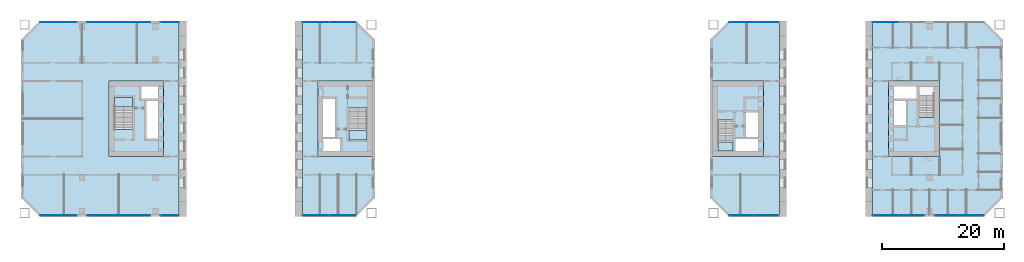
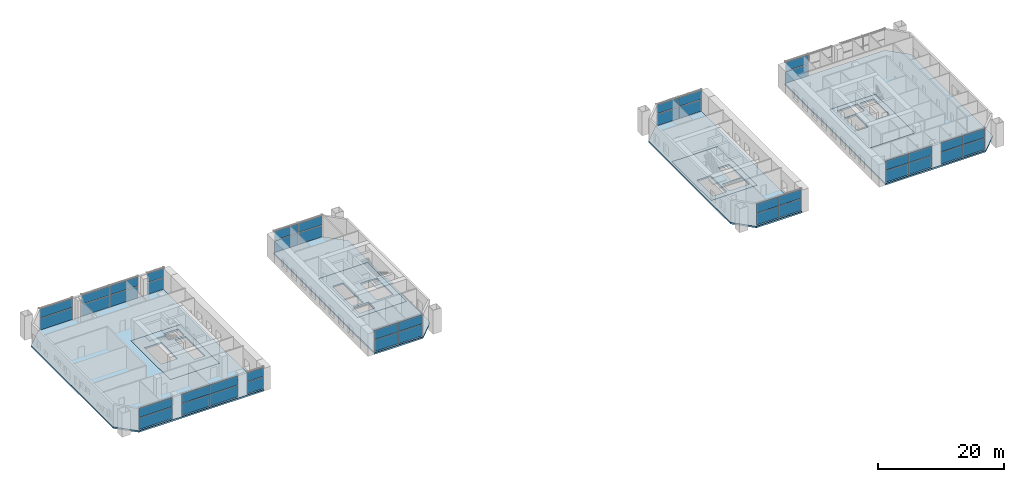
# One storey, part 7 of 19: 42 plates, 11 slabs, 16 elements without a shape of their own.
"""IFC4 building model written with IfcOpenShell, lengths in metres."""

from ifc_helpers import new_model, si_unit, direction, frame, origin, origin_2d, place, context, subcontext, project, spatial, polyline, rectangle, outline, extrude, material, layer, layer_set, type_object, element, aggregate, save


model = new_model("IFC4")

# Units and contexts
model_context = context("Model", 3, precision=1e-05, world=origin(), true_north=direction((0.0, 1.0)))
body_context = subcontext(model_context, "Body", "Model", "MODEL_VIEW")
ifc_project = project(units=[si_unit("LENGTHUNIT", "METRE"), si_unit("AREAUNIT", "SQUARE_METRE"), si_unit("VOLUMEUNIT", "CUBIC_METRE"), si_unit("PLANEANGLEUNIT", "RADIAN"), si_unit("MASSUNIT", "GRAM", prefix="KILO")], contexts=[model_context])

# Site, building, storey
site_placement = place(None, origin())
site = spatial("IfcSite", under=ifc_project, at=site_placement, CompositionType="ELEMENT")
building_placement = place(site_placement, origin())
building = spatial("IfcBuilding", under=site, at=building_placement, Name="Tuart Gate Housing", CompositionType="ELEMENT")
storey_placement = place(building_placement, frame((0.0, 0.0, 10.10009765625)))
storey = spatial("IfcBuildingStorey", under=building, at=storey_placement, Name="L02", CompositionType="ELEMENT", Elevation=10.10009765625)

# Slabs
ifc_material_1 = material(Name="Concrete C40", Category="concrete")
ifc_layer_1 = layer(ifc_material_1, 0.300048828125)
ifc_layer_set_1 = layer_set([ifc_layer_1], Name="Core floor slab 300")
slab_type_1 = type_object("IfcSlabType", Name="Core floor slab 300", PredefinedType="FLOOR", material=ifc_layer_set_1)
slab_1_placement = place(storey_placement, frame((0.0, 0.0, -0.300048828125)))
element("IfcSlab", 1, at=slab_1_placement, inside=storey, type_object=slab_type_1, Name="Core floor AG", PredefinedType="FLOOR", context=body_context, shape_type="SweptSolid", body=[
    extrude(outline(polyline([(66.639892578125, 63.800048828125), (75.639892578125, 63.800048828125), (75.639892578125, 76.199951171875), (66.639892578125, 76.199951171875), (66.639892578125, 63.800048828125)]), holes=[polyline([(67.5400390625, 64.699951171875), (70.31005859375, 64.699951171875), (70.31005859375, 66.64990234375), (67.5400390625, 66.64990234375), (67.5400390625, 64.699951171875)]), polyline([(67.5400390625, 67.050048828125), (69.489990234375, 67.050048828125), (69.489990234375, 73.25), (67.5400390625, 73.25), (67.5400390625, 67.050048828125)]), polyline([(71.739990234375, 66.550048828125), (74.739990234375, 66.550048828125), (74.739990234375, 71.72998046875), (71.739990234375, 71.72998046875), (71.739990234375, 66.550048828125)])]), origin(), (0.0, 0.0, 1.0), 0.300048828125),
])
slab_2_placement = place(storey_placement, frame((0.0, 0.0, -0.300048828125)))
element("IfcSlab", 2, at=slab_2_placement, inside=storey, type_object=slab_type_1, Name="Core floor AK", PredefinedType="FLOOR", context=body_context, shape_type="SweptSolid", body=[
    extrude(outline(polyline([(32.360107421875, 63.800048828125), (41.360107421875, 63.800048828125), (41.360107421875, 76.199951171875), (32.360107421875, 76.199951171875), (32.360107421875, 63.800048828125)]), holes=[polyline([(40.4599609375, 75.300048828125), (37.68994140625, 75.300048828125), (37.68994140625, 73.35009765625), (40.4599609375, 73.35009765625), (40.4599609375, 75.300048828125)]), polyline([(40.4599609375, 72.949951171875), (38.510009765625, 72.949951171875), (38.510009765625, 66.75), (40.4599609375, 66.75), (40.4599609375, 72.949951171875)]), polyline([(36.260009765625, 73.449951171875), (33.260009765625, 73.449951171875), (33.260009765625, 68.27001953125), (36.260009765625, 68.27001953125), (36.260009765625, 73.449951171875)])]), origin(), (0.0, 0.0, 1.0), 0.300048828125),
])
slab_3_placement = place(storey_placement, frame((0.0, 0.0, -0.300048828125)))
element("IfcSlab", 3, at=slab_3_placement, inside=storey, type_object=slab_type_1, Name="Core floor BG", PredefinedType="FLOOR", context=body_context, shape_type="SweptSolid", body=[
    extrude(outline(polyline([(131.360107421875, 63.800048828125), (139.760009765625, 63.800048828125), (139.760009765625, 76.199951171875), (131.360107421875, 76.199951171875), (131.360107421875, 63.800048828125)]), holes=[polyline([(138.860107421875, 66.85009765625), (135.159912109375, 66.85009765625), (135.159912109375, 64.699951171875), (138.860107421875, 64.699951171875), (138.860107421875, 66.85009765625)]), polyline([(138.860107421875, 71.050048828125), (136.909912109375, 71.050048828125), (136.909912109375, 67.050048828125), (138.860107421875, 67.050048828125), (138.860107421875, 71.050048828125)]), polyline([(134.760009765625, 69.780029296875), (132.260009765625, 69.780029296875), (132.260009765625, 64.699951171875), (134.760009765625, 64.699951171875), (134.760009765625, 69.780029296875)])]), origin(), (0.0, 0.0, 1.0), 0.300048828125),
])
slab_4_placement = place(storey_placement, frame((0.0, 0.0, -0.300048828125)))
element("IfcSlab", 4, at=slab_4_placement, inside=storey, type_object=slab_type_1, Name="Core floor BK", PredefinedType="FLOOR", context=body_context, shape_type="SweptSolid", body=[
    extrude(outline(polyline([(160.239990234375, 63.800048828125), (168.639892578125, 63.800048828125), (168.639892578125, 76.199951171875), (160.239990234375, 76.199951171875), (160.239990234375, 63.800048828125)]), holes=[polyline([(161.139892578125, 73.14990234375), (164.840087890625, 73.14990234375), (164.840087890625, 75.300048828125), (161.139892578125, 75.300048828125), (161.139892578125, 73.14990234375)]), polyline([(161.139892578125, 68.949951171875), (163.090087890625, 68.949951171875), (163.090087890625, 72.949951171875), (161.139892578125, 72.949951171875), (161.139892578125, 68.949951171875)]), polyline([(165.239990234375, 70.219970703125), (167.739990234375, 70.219970703125), (167.739990234375, 75.300048828125), (165.239990234375, 75.300048828125), (165.239990234375, 70.219970703125)])]), origin(), (0.0, 0.0, 1.0), 0.300048828125),
])
ifc_material_2 = material(Name="Concrete C40", Category="concrete")
ifc_layer_2 = layer(ifc_material_2, 0.300048828125)
ifc_layer_set_2 = layer_set([ifc_layer_2], Name="Flat plate 300")
slab_type_2 = type_object("IfcSlabType", Name="Flat plate 300", PredefinedType="FLOOR", material=ifc_layer_set_2)
slab_5_placement = place(storey_placement, frame((0.0, 0.0, -0.300048828125)))
element("IfcSlab", 5, at=slab_5_placement, inside=storey, type_object=slab_type_2, Name="Floor slab A part 1 L02", PredefinedType="FLOOR", context=body_context, shape_type="SweptSolid", body=[
    extrude(outline(polyline([(43.89990234375, 86.0), (21.0, 86.0), (18.0, 83.0), (18.0, 57.0), (21.0, 54.0), (43.89990234375, 54.0), (43.89990234375, 86.0)]), holes=[polyline([(32.360107421875, 76.199951171875), (41.360107421875, 76.199951171875), (41.360107421875, 63.800048828125), (32.360107421875, 63.800048828125), (32.360107421875, 76.199951171875)])]), origin(), (0.0, 0.0, 1.0), 0.300048828125),
])
slab_6_placement = place(storey_placement, frame((0.0, 0.0, -0.300048828125)))
element("IfcSlab", 6, at=slab_6_placement, inside=storey, type_object=slab_type_2, Name="Floor slab A part 2 L02", PredefinedType="FLOOR", context=body_context, shape_type="SweptSolid", body=[
    extrude(outline(polyline([(73.0, 86.0), (64.10009765625, 86.0), (64.10009765625, 54.0), (73.0, 54.0), (76.0, 57.0), (76.0, 83.0), (73.0, 86.0)]), holes=[polyline([(66.639892578125, 63.800048828125), (66.639892578125, 76.199951171875), (75.639892578125, 76.199951171875), (75.639892578125, 63.800048828125), (66.639892578125, 63.800048828125)])]), origin(), (0.0, 0.0, 1.0), 0.300048828125),
])
slab_7_placement = place(storey_placement, frame((0.0, 0.0, -0.300048828125)))
element("IfcSlab", 7, at=slab_7_placement, inside=storey, type_object=slab_type_2, Name="Floor slab B part 1 L02", PredefinedType="FLOOR", context=body_context, shape_type="SweptSolid", body=[
    extrude(outline(polyline([(142.35009765625, 86.0), (134.0, 86.0), (131.0, 83.0), (131.0, 57.0), (134.0, 54.0), (142.35009765625, 54.0), (142.35009765625, 86.0)]), holes=[polyline([(131.360107421875, 63.800048828125), (131.360107421875, 76.199951171875), (139.760009765625, 76.199951171875), (139.760009765625, 63.800048828125), (131.360107421875, 63.800048828125)])]), origin(), (0.0, 0.0, 1.0), 0.300048828125),
])
slab_8_placement = place(storey_placement, frame((0.0, 0.0, -0.300048828125)))
element("IfcSlab", 8, at=slab_8_placement, inside=storey, type_object=slab_type_2, Name="Floor slab B part 2 L02", PredefinedType="FLOOR", context=body_context, shape_type="SweptSolid", body=[
    extrude(outline(polyline([(176.0, 86.0), (157.64990234375, 86.0), (157.64990234375, 54.0), (176.0, 54.0), (179.0, 57.0), (179.0, 83.0), (176.0, 86.0)]), holes=[polyline([(160.239990234375, 76.199951171875), (168.639892578125, 76.199951171875), (168.639892578125, 63.800048828125), (160.239990234375, 63.800048828125), (160.239990234375, 76.199951171875)])]), origin(), (0.0, 0.0, 1.0), 0.300048828125),
])

# Curtain wall, plates
ifc_material_3 = material(Name="Aluminium and clear glass", Category="aluminium")
curtain_wall_type = type_object("IfcCurtainWallType", Name="Podium health glazing", PredefinedType="USERDEFINED", material=ifc_material_3)
curtain_wall_1_placement = place(storey_placement, origin())
curtain_wall_1 = element("IfcCurtainWall", 9, at=curtain_wall_1_placement, inside=storey, type_object=curtain_wall_type, Name="Podium health glazing A-S L02", ObjectType="PODIUM HEALTH GLAZING", PredefinedType="USERDEFINED")
ifc_material_4 = material(Name="Clear glass", Category="glass")
ifc_layer_3 = layer(ifc_material_4, 0.028076171875)
ifc_layer_set_3 = layer_set([ifc_layer_3], Name="Glazed panel 28")
plate_type = type_object("IfcPlateType", Name="Glazed panel 28", PredefinedType="CURTAIN_PANEL", material=ifc_layer_set_3)
plate_1_placement = place(storey_placement, frame((24.13720703125, 54.179931640625, 0.1201171875), z_axis=(0.0, 0.0, 1.0), x_axis=(1.0, 0.0, 0.0)))
plate_1 = element("IfcPlate", 10, at=plate_1_placement, type_object=plate_type, Name="CW1 panel 1.1", PredefinedType="CURTAIN_PANEL", context=body_context, shape_type="SweptSolid", body=[
    extrude(rectangle(XDim=6.00537109375, YDim=0.028076171875, at=origin_2d()), origin(), (0.0, 0.0, 1.0), 2.219970703125),
])
plate_2_placement = place(storey_placement, frame((24.13720703125, 54.179931640625, 2.4599609375), z_axis=(0.0, 0.0, 1.0), x_axis=(1.0, 0.0, 0.0)))
plate_2 = element("IfcPlate", 11, at=plate_2_placement, type_object=plate_type, Name="CW1 panel 1.2", PredefinedType="CURTAIN_PANEL", context=body_context, shape_type="SweptSolid", body=[
    extrude(rectangle(XDim=6.00537109375, YDim=0.028076171875, at=origin_2d()), origin(), (0.0, 0.0, 1.0), 1.719970703125),
])
aggregate(curtain_wall_1, [plate_1, plate_2])

curtain_wall_2_placement = place(storey_placement, origin())
curtain_wall_2 = element("IfcCurtainWall", 12, at=curtain_wall_2_placement, inside=storey, type_object=curtain_wall_type, Name="Podium health glazing A-S L02", ObjectType="PODIUM HEALTH GLAZING", PredefinedType="USERDEFINED")
plate_3_placement = place(storey_placement, frame((31.4150390625, 54.179931640625, 0.1201171875), z_axis=(0.0, 0.0, 1.0), x_axis=(1.0, 0.0, 0.0)))
plate_3 = element("IfcPlate", 13, at=plate_3_placement, type_object=plate_type, Name="CW1 panel 1.1", PredefinedType="CURTAIN_PANEL", context=body_context, shape_type="SweptSolid", body=[
    extrude(rectangle(XDim=5.110107421875, YDim=0.028076171875, at=origin_2d()), origin(), (0.0, 0.0, 1.0), 2.219970703125),
])
plate_4_placement = place(storey_placement, frame((31.4150390625, 54.179931640625, 2.4599609375), z_axis=(0.0, 0.0, 1.0), x_axis=(1.0, 0.0, 0.0)))
plate_4 = element("IfcPlate", 14, at=plate_4_placement, type_object=plate_type, Name="CW1 panel 1.2", PredefinedType="CURTAIN_PANEL", context=body_context, shape_type="SweptSolid", body=[
    extrude(rectangle(XDim=5.110107421875, YDim=0.028076171875, at=origin_2d()), origin(), (0.0, 0.0, 1.0), 1.719970703125),
])
plate_5_placement = place(storey_placement, frame((36.5849609375, 54.179931640625, 0.1201171875), z_axis=(0.0, 0.0, 1.0), x_axis=(1.0, 0.0, 0.0)))
plate_5 = element("IfcPlate", 15, at=plate_5_placement, type_object=plate_type, Name="CW1 panel 2.1", PredefinedType="CURTAIN_PANEL", context=body_context, shape_type="SweptSolid", body=[
    extrude(rectangle(XDim=5.110107421875, YDim=0.028076171875, at=origin_2d()), origin(), (0.0, 0.0, 1.0), 2.219970703125),
])
plate_6_placement = place(storey_placement, frame((36.5849609375, 54.179931640625, 2.4599609375), z_axis=(0.0, 0.0, 1.0), x_axis=(1.0, 0.0, 0.0)))
plate_6 = element("IfcPlate", 16, at=plate_6_placement, type_object=plate_type, Name="CW1 panel 2.2", PredefinedType="CURTAIN_PANEL", context=body_context, shape_type="SweptSolid", body=[
    extrude(rectangle(XDim=5.110107421875, YDim=0.028076171875, at=origin_2d()), origin(), (0.0, 0.0, 1.0), 1.719970703125),
])
aggregate(curtain_wall_2, [plate_3, plate_4, plate_5, plate_6])

curtain_wall_3_placement = place(storey_placement, origin())
curtain_wall_3 = element("IfcCurtainWall", 17, at=curtain_wall_3_placement, inside=storey, type_object=curtain_wall_type, Name="Podium health glazing A-S L02", ObjectType="PODIUM HEALTH GLAZING", PredefinedType="USERDEFINED")
plate_7_placement = place(storey_placement, frame((42.35009765625, 54.179931640625, 0.1201171875), z_axis=(0.0, 0.0, 1.0), x_axis=(1.0, 0.0, 0.0)))
plate_7 = element("IfcPlate", 18, at=plate_7_placement, type_object=plate_type, Name="CW1 panel 1.1", PredefinedType="CURTAIN_PANEL", context=body_context, shape_type="SweptSolid", body=[
    extrude(rectangle(XDim=2.97998046875, YDim=0.028076171875, at=origin_2d()), origin(), (0.0, 0.0, 1.0), 2.219970703125),
])
plate_8_placement = place(storey_placement, frame((42.35009765625, 54.179931640625, 2.4599609375), z_axis=(0.0, 0.0, 1.0), x_axis=(1.0, 0.0, 0.0)))
plate_8 = element("IfcPlate", 19, at=plate_8_placement, type_object=plate_type, Name="CW1 panel 1.2", PredefinedType="CURTAIN_PANEL", context=body_context, shape_type="SweptSolid", body=[
    extrude(rectangle(XDim=2.97998046875, YDim=0.028076171875, at=origin_2d()), origin(), (0.0, 0.0, 1.0), 1.719970703125),
])
aggregate(curtain_wall_3, [plate_7, plate_8])

curtain_wall_4_placement = place(storey_placement, origin())
curtain_wall_4 = element("IfcCurtainWall", 20, at=curtain_wall_4_placement, inside=storey, type_object=curtain_wall_type, Name="Podium health glazing A-S L02", ObjectType="PODIUM HEALTH GLAZING", PredefinedType="USERDEFINED")
plate_9_placement = place(storey_placement, frame((66.3212890625, 54.179931640625, 0.1201171875), z_axis=(0.0, 0.0, 1.0), x_axis=(1.0, 0.0, 0.0)))
plate_9 = element("IfcPlate", 21, at=plate_9_placement, type_object=plate_type, Name="CW1 panel 1.1", PredefinedType="CURTAIN_PANEL", context=body_context, shape_type="SweptSolid", body=[
    extrude(rectangle(XDim=4.32275390625, YDim=0.028076171875, at=origin_2d()), origin(), (0.0, 0.0, 1.0), 2.219970703125),
])
plate_10_placement = place(storey_placement, frame((66.3212890625, 54.179931640625, 2.4599609375), z_axis=(0.0, 0.0, 1.0), x_axis=(1.0, 0.0, 0.0)))
plate_10 = element("IfcPlate", 22, at=plate_10_placement, type_object=plate_type, Name="CW1 panel 1.2", PredefinedType="CURTAIN_PANEL", context=body_context, shape_type="SweptSolid", body=[
    extrude(rectangle(XDim=4.32275390625, YDim=0.028076171875, at=origin_2d()), origin(), (0.0, 0.0, 1.0), 1.719970703125),
])
plate_11_placement = place(storey_placement, frame((70.7041015625, 54.179931640625, 0.1201171875), z_axis=(0.0, 0.0, 1.0), x_axis=(1.0, 0.0, 0.0)))
plate_11 = element("IfcPlate", 23, at=plate_11_placement, type_object=plate_type, Name="CW1 panel 2.1", PredefinedType="CURTAIN_PANEL", context=body_context, shape_type="SweptSolid", body=[
    extrude(rectangle(XDim=4.32275390625, YDim=0.028076171875, at=origin_2d()), origin(), (0.0, 0.0, 1.0), 2.219970703125),
])
plate_12_placement = place(storey_placement, frame((70.7041015625, 54.179931640625, 2.4599609375), z_axis=(0.0, 0.0, 1.0), x_axis=(1.0, 0.0, 0.0)))
plate_12 = element("IfcPlate", 24, at=plate_12_placement, type_object=plate_type, Name="CW1 panel 2.2", PredefinedType="CURTAIN_PANEL", context=body_context, shape_type="SweptSolid", body=[
    extrude(rectangle(XDim=4.32275390625, YDim=0.028076171875, at=origin_2d()), origin(), (0.0, 0.0, 1.0), 1.719970703125),
])
aggregate(curtain_wall_4, [plate_9, plate_10, plate_11, plate_12])

curtain_wall_5_placement = place(storey_placement, origin())
curtain_wall_5 = element("IfcCurtainWall", 25, at=curtain_wall_5_placement, inside=storey, type_object=curtain_wall_type, Name="Podium health glazing A-N L02", ObjectType="PODIUM HEALTH GLAZING", PredefinedType="USERDEFINED")
plate_13_placement = place(storey_placement, frame((70.7041015625, 85.820068359375, 0.1201171875), z_axis=(0.0, 0.0, 1.0), x_axis=(-1.0, 0.0, 0.0)))
plate_13 = element("IfcPlate", 26, at=plate_13_placement, type_object=plate_type, Name="CW1 panel 1.1", PredefinedType="CURTAIN_PANEL", context=body_context, shape_type="SweptSolid", body=[
    extrude(rectangle(XDim=4.32275390625, YDim=0.028076171875, at=origin_2d()), origin(), (0.0, 0.0, 1.0), 2.219970703125),
])
plate_14_placement = place(storey_placement, frame((70.7041015625, 85.820068359375, 2.4599609375), z_axis=(0.0, 0.0, 1.0), x_axis=(-1.0, 0.0, 0.0)))
plate_14 = element("IfcPlate", 27, at=plate_14_placement, type_object=plate_type, Name="CW1 panel 1.2", PredefinedType="CURTAIN_PANEL", context=body_context, shape_type="SweptSolid", body=[
    extrude(rectangle(XDim=4.32275390625, YDim=0.028076171875, at=origin_2d()), origin(), (0.0, 0.0, 1.0), 1.719970703125),
])
plate_15_placement = place(storey_placement, frame((66.3212890625, 85.820068359375, 0.1201171875), z_axis=(0.0, 0.0, 1.0), x_axis=(-1.0, 0.0, 0.0)))
plate_15 = element("IfcPlate", 28, at=plate_15_placement, type_object=plate_type, Name="CW1 panel 2.1", PredefinedType="CURTAIN_PANEL", context=body_context, shape_type="SweptSolid", body=[
    extrude(rectangle(XDim=4.32275390625, YDim=0.028076171875, at=origin_2d()), origin(), (0.0, 0.0, 1.0), 2.219970703125),
])
plate_16_placement = place(storey_placement, frame((66.3212890625, 85.820068359375, 2.4599609375), z_axis=(0.0, 0.0, 1.0), x_axis=(-1.0, 0.0, 0.0)))
plate_16 = element("IfcPlate", 29, at=plate_16_placement, type_object=plate_type, Name="CW1 panel 2.2", PredefinedType="CURTAIN_PANEL", context=body_context, shape_type="SweptSolid", body=[
    extrude(rectangle(XDim=4.32275390625, YDim=0.028076171875, at=origin_2d()), origin(), (0.0, 0.0, 1.0), 1.719970703125),
])
aggregate(curtain_wall_5, [plate_13, plate_14, plate_15, plate_16])

curtain_wall_6_placement = place(storey_placement, origin())
curtain_wall_6 = element("IfcCurtainWall", 30, at=curtain_wall_6_placement, inside=storey, type_object=curtain_wall_type, Name="Podium health glazing A-N L02", ObjectType="PODIUM HEALTH GLAZING", PredefinedType="USERDEFINED")
plate_17_placement = place(storey_placement, frame((42.35009765625, 85.820068359375, 0.1201171875), z_axis=(0.0, 0.0, 1.0), x_axis=(-1.0, 0.0, 0.0)))
plate_17 = element("IfcPlate", 31, at=plate_17_placement, type_object=plate_type, Name="CW1 panel 1.1", PredefinedType="CURTAIN_PANEL", context=body_context, shape_type="SweptSolid", body=[
    extrude(rectangle(XDim=2.97998046875, YDim=0.028076171875, at=origin_2d()), origin(), (0.0, 0.0, 1.0), 2.219970703125),
])
plate_18_placement = place(storey_placement, frame((42.35009765625, 85.820068359375, 2.4599609375), z_axis=(0.0, 0.0, 1.0), x_axis=(-1.0, 0.0, 0.0)))
plate_18 = element("IfcPlate", 32, at=plate_18_placement, type_object=plate_type, Name="CW1 panel 1.2", PredefinedType="CURTAIN_PANEL", context=body_context, shape_type="SweptSolid", body=[
    extrude(rectangle(XDim=2.97998046875, YDim=0.028076171875, at=origin_2d()), origin(), (0.0, 0.0, 1.0), 1.719970703125),
])
aggregate(curtain_wall_6, [plate_17, plate_18])

curtain_wall_7_placement = place(storey_placement, origin())
curtain_wall_7 = element("IfcCurtainWall", 33, at=curtain_wall_7_placement, inside=storey, type_object=curtain_wall_type, Name="Podium health glazing A-N L02", ObjectType="PODIUM HEALTH GLAZING", PredefinedType="USERDEFINED")
plate_19_placement = place(storey_placement, frame((36.5849609375, 85.820068359375, 0.1201171875), z_axis=(0.0, 0.0, 1.0), x_axis=(-1.0, 0.0, 0.0)))
plate_19 = element("IfcPlate", 34, at=plate_19_placement, type_object=plate_type, Name="CW1 panel 1.1", PredefinedType="CURTAIN_PANEL", context=body_context, shape_type="SweptSolid", body=[
    extrude(rectangle(XDim=5.110107421875, YDim=0.028076171875, at=origin_2d()), origin(), (0.0, 0.0, 1.0), 2.219970703125),
])
plate_20_placement = place(storey_placement, frame((36.5849609375, 85.820068359375, 2.4599609375), z_axis=(0.0, 0.0, 1.0), x_axis=(-1.0, 0.0, 0.0)))
plate_20 = element("IfcPlate", 35, at=plate_20_placement, type_object=plate_type, Name="CW1 panel 1.2", PredefinedType="CURTAIN_PANEL", context=body_context, shape_type="SweptSolid", body=[
    extrude(rectangle(XDim=5.110107421875, YDim=0.028076171875, at=origin_2d()), origin(), (0.0, 0.0, 1.0), 1.719970703125),
])
plate_21_placement = place(storey_placement, frame((31.4150390625, 85.820068359375, 0.1201171875), z_axis=(0.0, 0.0, 1.0), x_axis=(-1.0, 0.0, 0.0)))
plate_21 = element("IfcPlate", 36, at=plate_21_placement, type_object=plate_type, Name="CW1 panel 2.1", PredefinedType="CURTAIN_PANEL", context=body_context, shape_type="SweptSolid", body=[
    extrude(rectangle(XDim=5.110107421875, YDim=0.028076171875, at=origin_2d()), origin(), (0.0, 0.0, 1.0), 2.219970703125),
])
plate_22_placement = place(storey_placement, frame((31.4150390625, 85.820068359375, 2.4599609375), z_axis=(0.0, 0.0, 1.0), x_axis=(-1.0, 0.0, 0.0)))
plate_22 = element("IfcPlate", 37, at=plate_22_placement, type_object=plate_type, Name="CW1 panel 2.2", PredefinedType="CURTAIN_PANEL", context=body_context, shape_type="SweptSolid", body=[
    extrude(rectangle(XDim=5.110107421875, YDim=0.028076171875, at=origin_2d()), origin(), (0.0, 0.0, 1.0), 1.719970703125),
])
aggregate(curtain_wall_7, [plate_19, plate_20, plate_21, plate_22])

curtain_wall_8_placement = place(storey_placement, origin())
curtain_wall_8 = element("IfcCurtainWall", 38, at=curtain_wall_8_placement, inside=storey, type_object=curtain_wall_type, Name="Podium health glazing A-N L02", ObjectType="PODIUM HEALTH GLAZING", PredefinedType="USERDEFINED")
plate_23_placement = place(storey_placement, frame((24.13720703125, 85.820068359375, 0.1201171875), z_axis=(0.0, 0.0, 1.0), x_axis=(-1.0, 0.0, 0.0)))
plate_23 = element("IfcPlate", 39, at=plate_23_placement, type_object=plate_type, Name="CW1 panel 1.1", PredefinedType="CURTAIN_PANEL", context=body_context, shape_type="SweptSolid", body=[
    extrude(rectangle(XDim=6.005615234375, YDim=0.028076171875, at=origin_2d()), origin(), (0.0, 0.0, 1.0), 2.219970703125),
])
plate_24_placement = place(storey_placement, frame((24.13720703125, 85.820068359375, 2.4599609375), z_axis=(0.0, 0.0, 1.0), x_axis=(-1.0, 0.0, 0.0)))
plate_24 = element("IfcPlate", 40, at=plate_24_placement, type_object=plate_type, Name="CW1 panel 1.2", PredefinedType="CURTAIN_PANEL", context=body_context, shape_type="SweptSolid", body=[
    extrude(rectangle(XDim=6.005615234375, YDim=0.028076171875, at=origin_2d()), origin(), (0.0, 0.0, 1.0), 1.719970703125),
])
aggregate(curtain_wall_8, [plate_23, plate_24])

curtain_wall_9_placement = place(storey_placement, origin())
curtain_wall_9 = element("IfcCurtainWall", 41, at=curtain_wall_9_placement, inside=storey, type_object=curtain_wall_type, Name="Podium health glazing B-S L02", ObjectType="PODIUM HEALTH GLAZING", PredefinedType="USERDEFINED")
plate_25_placement = place(storey_placement, frame((136.158447265625, 54.179931640625, 0.1201171875), z_axis=(0.0, 0.0, 1.0), x_axis=(1.0, 0.0, 0.0)))
plate_25 = element("IfcPlate", 42, at=plate_25_placement, type_object=plate_type, Name="CW1 panel 1.1", PredefinedType="CURTAIN_PANEL", context=body_context, shape_type="SweptSolid", body=[
    extrude(rectangle(XDim=4.047607421875, YDim=0.028076171875, at=origin_2d()), origin(), (0.0, 0.0, 1.0), 2.219970703125),
])
plate_26_placement = place(storey_placement, frame((136.158447265625, 54.179931640625, 2.4599609375), z_axis=(0.0, 0.0, 1.0), x_axis=(1.0, 0.0, 0.0)))
plate_26 = element("IfcPlate", 43, at=plate_26_placement, type_object=plate_type, Name="CW1 panel 1.2", PredefinedType="CURTAIN_PANEL", context=body_context, shape_type="SweptSolid", body=[
    extrude(rectangle(XDim=4.047607421875, YDim=0.028076171875, at=origin_2d()), origin(), (0.0, 0.0, 1.0), 1.719970703125),
])
plate_27_placement = place(storey_placement, frame((140.26611328125, 54.179931640625, 0.1201171875), z_axis=(0.0, 0.0, 1.0), x_axis=(1.0, 0.0, 0.0)))
plate_27 = element("IfcPlate", 44, at=plate_27_placement, type_object=plate_type, Name="CW1 panel 2.1", PredefinedType="CURTAIN_PANEL", context=body_context, shape_type="SweptSolid", body=[
    extrude(rectangle(XDim=4.047607421875, YDim=0.028076171875, at=origin_2d()), origin(), (0.0, 0.0, 1.0), 2.219970703125),
])
plate_28_placement = place(storey_placement, frame((140.26611328125, 54.179931640625, 2.4599609375), z_axis=(0.0, 0.0, 1.0), x_axis=(1.0, 0.0, 0.0)))
plate_28 = element("IfcPlate", 45, at=plate_28_placement, type_object=plate_type, Name="CW1 panel 2.2", PredefinedType="CURTAIN_PANEL", context=body_context, shape_type="SweptSolid", body=[
    extrude(rectangle(XDim=4.047607421875, YDim=0.028076171875, at=origin_2d()), origin(), (0.0, 0.0, 1.0), 1.719970703125),
])
aggregate(curtain_wall_9, [plate_25, plate_26, plate_27, plate_28])

curtain_wall_10_placement = place(storey_placement, origin())
curtain_wall_10 = element("IfcCurtainWall", 46, at=curtain_wall_10_placement, inside=storey, type_object=curtain_wall_type, Name="Podium health glazing B-S L02", ObjectType="PODIUM HEALTH GLAZING", PredefinedType="USERDEFINED")
plate_29_placement = place(storey_placement, frame((159.802490234375, 54.179931640625, 0.1201171875), z_axis=(0.0, 0.0, 1.0), x_axis=(1.0, 0.0, 0.0)))
plate_29 = element("IfcPlate", 47, at=plate_29_placement, type_object=plate_type, Name="CW1 panel 1.1", PredefinedType="CURTAIN_PANEL", context=body_context, shape_type="SweptSolid", body=[
    extrude(rectangle(XDim=4.18505859375, YDim=0.028076171875, at=origin_2d()), origin(), (0.0, 0.0, 1.0), 2.219970703125),
])
plate_30_placement = place(storey_placement, frame((159.802490234375, 54.179931640625, 2.4599609375), z_axis=(0.0, 0.0, 1.0), x_axis=(1.0, 0.0, 0.0)))
plate_30 = element("IfcPlate", 48, at=plate_30_placement, type_object=plate_type, Name="CW1 panel 1.2", PredefinedType="CURTAIN_PANEL", context=body_context, shape_type="SweptSolid", body=[
    extrude(rectangle(XDim=4.18505859375, YDim=0.028076171875, at=origin_2d()), origin(), (0.0, 0.0, 1.0), 1.719970703125),
])
plate_31_placement = place(storey_placement, frame((164.047607421875, 54.179931640625, 0.1201171875), z_axis=(0.0, 0.0, 1.0), x_axis=(1.0, 0.0, 0.0)))
plate_31 = element("IfcPlate", 49, at=plate_31_placement, type_object=plate_type, Name="CW1 panel 2.1", PredefinedType="CURTAIN_PANEL", context=body_context, shape_type="SweptSolid", body=[
    extrude(rectangle(XDim=4.18505859375, YDim=0.028076171875, at=origin_2d()), origin(), (0.0, 0.0, 1.0), 2.219970703125),
])
plate_32_placement = place(storey_placement, frame((164.047607421875, 54.179931640625, 2.4599609375), z_axis=(0.0, 0.0, 1.0), x_axis=(1.0, 0.0, 0.0)))
plate_32 = element("IfcPlate", 50, at=plate_32_placement, type_object=plate_type, Name="CW1 panel 2.2", PredefinedType="CURTAIN_PANEL", context=body_context, shape_type="SweptSolid", body=[
    extrude(rectangle(XDim=4.18505859375, YDim=0.028076171875, at=origin_2d()), origin(), (0.0, 0.0, 1.0), 1.719970703125),
])
aggregate(curtain_wall_10, [plate_29, plate_30, plate_31, plate_32])

curtain_wall_11_placement = place(storey_placement, origin())
curtain_wall_11 = element("IfcCurtainWall", 51, at=curtain_wall_11_placement, inside=storey, type_object=curtain_wall_type, Name="Podium health glazing B-S L02", ObjectType="PODIUM HEALTH GLAZING", PredefinedType="USERDEFINED")
plate_33_placement = place(storey_placement, frame((169.846435546875, 54.179931640625, 0.1201171875), z_axis=(0.0, 0.0, 1.0), x_axis=(1.0, 0.0, 0.0)))
plate_33 = element("IfcPlate", 52, at=plate_33_placement, type_object=plate_type, Name="CW1 panel 1.1", PredefinedType="CURTAIN_PANEL", context=body_context, shape_type="SweptSolid", body=[
    extrude(rectangle(XDim=3.97265625, YDim=0.028076171875, at=origin_2d()), origin(), (0.0, 0.0, 1.0), 2.219970703125),
])
plate_34_placement = place(storey_placement, frame((169.846435546875, 54.179931640625, 2.4599609375), z_axis=(0.0, 0.0, 1.0), x_axis=(1.0, 0.0, 0.0)))
plate_34 = element("IfcPlate", 53, at=plate_34_placement, type_object=plate_type, Name="CW1 panel 1.2", PredefinedType="CURTAIN_PANEL", context=body_context, shape_type="SweptSolid", body=[
    extrude(rectangle(XDim=3.97265625, YDim=0.028076171875, at=origin_2d()), origin(), (0.0, 0.0, 1.0), 1.719970703125),
])
plate_35_placement = place(storey_placement, frame((173.879150390625, 54.179931640625, 0.1201171875), z_axis=(0.0, 0.0, 1.0), x_axis=(1.0, 0.0, 0.0)))
plate_35 = element("IfcPlate", 54, at=plate_35_placement, type_object=plate_type, Name="CW1 panel 2.1", PredefinedType="CURTAIN_PANEL", context=body_context, shape_type="SweptSolid", body=[
    extrude(rectangle(XDim=3.97265625, YDim=0.028076171875, at=origin_2d()), origin(), (0.0, 0.0, 1.0), 2.219970703125),
])
plate_36_placement = place(storey_placement, frame((173.879150390625, 54.179931640625, 2.4599609375), z_axis=(0.0, 0.0, 1.0), x_axis=(1.0, 0.0, 0.0)))
plate_36 = element("IfcPlate", 55, at=plate_36_placement, type_object=plate_type, Name="CW1 panel 2.2", PredefinedType="CURTAIN_PANEL", context=body_context, shape_type="SweptSolid", body=[
    extrude(rectangle(XDim=3.97265625, YDim=0.028076171875, at=origin_2d()), origin(), (0.0, 0.0, 1.0), 1.719970703125),
])
aggregate(curtain_wall_11, [plate_33, plate_34, plate_35, plate_36])

curtain_wall_12_placement = place(storey_placement, origin())
curtain_wall_12 = element("IfcCurtainWall", 56, at=curtain_wall_12_placement, inside=storey, type_object=curtain_wall_type, Name="Podium health glazing B-N L02", ObjectType="PODIUM HEALTH GLAZING", PredefinedType="USERDEFINED")
plate_37_placement = place(storey_placement, frame((159.802490234375, 85.820068359375, 0.1201171875), z_axis=(0.0, 0.0, 1.0), x_axis=(-1.0, 0.0, 0.0)))
plate_37 = element("IfcPlate", 57, at=plate_37_placement, type_object=plate_type, Name="CW1 panel 2.1", PredefinedType="CURTAIN_PANEL", context=body_context, shape_type="SweptSolid", body=[
    extrude(rectangle(XDim=4.18505859375, YDim=0.028076171875, at=origin_2d()), origin(), (0.0, 0.0, 1.0), 2.219970703125),
])
plate_38_placement = place(storey_placement, frame((159.802490234375, 85.820068359375, 2.4599609375), z_axis=(0.0, 0.0, 1.0), x_axis=(-1.0, 0.0, 0.0)))
plate_38 = element("IfcPlate", 58, at=plate_38_placement, type_object=plate_type, Name="CW1 panel 2.2", PredefinedType="CURTAIN_PANEL", context=body_context, shape_type="SweptSolid", body=[
    extrude(rectangle(XDim=4.18505859375, YDim=0.028076171875, at=origin_2d()), origin(), (0.0, 0.0, 1.0), 1.719970703125),
])
aggregate(curtain_wall_12, [plate_37, plate_38])

curtain_wall_13_placement = place(storey_placement, origin())
curtain_wall_13 = element("IfcCurtainWall", 59, at=curtain_wall_13_placement, inside=storey, type_object=curtain_wall_type, Name="Podium health glazing B-N L02", ObjectType="PODIUM HEALTH GLAZING", PredefinedType="USERDEFINED")
plate_39_placement = place(storey_placement, frame((140.26611328125, 85.820068359375, 0.1201171875), z_axis=(0.0, 0.0, 1.0), x_axis=(-1.0, 0.0, 0.0)))
plate_39 = element("IfcPlate", 60, at=plate_39_placement, type_object=plate_type, Name="CW1 panel 1.1", PredefinedType="CURTAIN_PANEL", context=body_context, shape_type="SweptSolid", body=[
    extrude(rectangle(XDim=4.0478515625, YDim=0.028076171875, at=origin_2d()), origin(), (0.0, 0.0, 1.0), 2.219970703125),
])
plate_40_placement = place(storey_placement, frame((140.26611328125, 85.820068359375, 2.4599609375), z_axis=(0.0, 0.0, 1.0), x_axis=(-1.0, 0.0, 0.0)))
plate_40 = element("IfcPlate", 61, at=plate_40_placement, type_object=plate_type, Name="CW1 panel 1.2", PredefinedType="CURTAIN_PANEL", context=body_context, shape_type="SweptSolid", body=[
    extrude(rectangle(XDim=4.0478515625, YDim=0.028076171875, at=origin_2d()), origin(), (0.0, 0.0, 1.0), 1.719970703125),
])
plate_41_placement = place(storey_placement, frame((136.158447265625, 85.820068359375, 0.1201171875), z_axis=(0.0, 0.0, 1.0), x_axis=(-1.0, 0.0, 0.0)))
plate_41 = element("IfcPlate", 62, at=plate_41_placement, type_object=plate_type, Name="CW1 panel 2.1", PredefinedType="CURTAIN_PANEL", context=body_context, shape_type="SweptSolid", body=[
    extrude(rectangle(XDim=4.0478515625, YDim=0.028076171875, at=origin_2d()), origin(), (0.0, 0.0, 1.0), 2.219970703125),
])
plate_42_placement = place(storey_placement, frame((136.158447265625, 85.820068359375, 2.4599609375), z_axis=(0.0, 0.0, 1.0), x_axis=(-1.0, 0.0, 0.0)))
plate_42 = element("IfcPlate", 63, at=plate_42_placement, type_object=plate_type, Name="CW1 panel 2.2", PredefinedType="CURTAIN_PANEL", context=body_context, shape_type="SweptSolid", body=[
    extrude(rectangle(XDim=4.0478515625, YDim=0.028076171875, at=origin_2d()), origin(), (0.0, 0.0, 1.0), 1.719970703125),
])
aggregate(curtain_wall_13, [plate_39, plate_40, plate_41, plate_42])

# Stair, slab
ifc_material_5 = material(Name="Concrete C40", Category="concrete")
stair_type_1 = type_object("IfcStairType", Name="Core stair 1500", PredefinedType="HALF_TURN_STAIR", material=ifc_material_5)
stair_1_placement = place(storey_placement, origin())
stair_1 = element("IfcStair", 64, at=stair_1_placement, inside=storey, type_object=stair_type_1, Name="Stair SA1", PredefinedType="HALF_TURN_STAIR")
ifc_material_6 = material(Name="Concrete C40", Category="concrete")
ifc_layer_4 = layer(ifc_material_6, 0.199951171875)
ifc_layer_set_4 = layer_set([ifc_layer_4], Name="Stair landing 200")
slab_type_3 = type_object("IfcSlabType", Name="Stair landing 200", PredefinedType="LANDING", material=ifc_layer_set_4)
slab_9_placement = place(storey_placement, frame((0.0, 0.0, 2.099853515625)))
slab_9 = element("IfcSlab", 65, at=slab_9_placement, type_object=slab_type_3, Name="SA1 landing 1", PredefinedType="LANDING", context=body_context, shape_type="SweptSolid", body=[
    extrude(outline(polyline([(71.739990234375, 66.550048828125), (74.739990234375, 66.550048828125), (74.739990234375, 68.110107421875), (71.739990234375, 68.110107421875), (71.739990234375, 66.550048828125)])), origin(), (0.0, 0.0, 1.0), 0.199951171875),
])
aggregate(stair_1, [slab_9])

stair_2_placement = place(storey_placement, origin())
stair_2 = element("IfcStair", 66, at=stair_2_placement, inside=storey, type_object=stair_type_1, Name="Stair SA2", PredefinedType="HALF_TURN_STAIR")
slab_10_placement = place(storey_placement, frame((0.0, 0.0, 2.099853515625)))
slab_10 = element("IfcSlab", 67, at=slab_10_placement, type_object=slab_type_3, Name="SA2 landing 1", PredefinedType="LANDING", context=body_context, shape_type="SweptSolid", body=[
    extrude(outline(polyline([(36.260009765625, 73.449951171875), (33.260009765625, 73.449951171875), (33.260009765625, 71.889892578125), (36.260009765625, 71.889892578125), (36.260009765625, 73.449951171875)])), origin(), (0.0, 0.0, 1.0), 0.199951171875),
])
aggregate(stair_2, [slab_10])

ifc_material_7 = material(Name="Concrete C40", Category="concrete")
stair_type_2 = type_object("IfcStairType", Name="Core stair 1250", PredefinedType="HALF_TURN_STAIR", material=ifc_material_7)
stair_3_placement = place(storey_placement, origin())
stair_3 = element("IfcStair", 68, at=stair_3_placement, inside=storey, type_object=stair_type_2, Name="Stair SB1", PredefinedType="HALF_TURN_STAIR")
slab_11_placement = place(storey_placement, frame((0.0, 0.0, 2.099853515625)))
slab_11 = element("IfcSlab", 69, at=slab_11_placement, type_object=slab_type_3, Name="SB1 landing 1", PredefinedType="LANDING", context=body_context, shape_type="SweptSolid", body=[
    extrude(outline(polyline([(134.760009765625, 66.159912109375), (132.260009765625, 66.159912109375), (132.260009765625, 64.699951171875), (134.760009765625, 64.699951171875), (134.760009765625, 66.159912109375)])), origin(), (0.0, 0.0, 1.0), 0.199951171875),
])
aggregate(stair_3, [slab_11])

save(model, "model.ifc")
